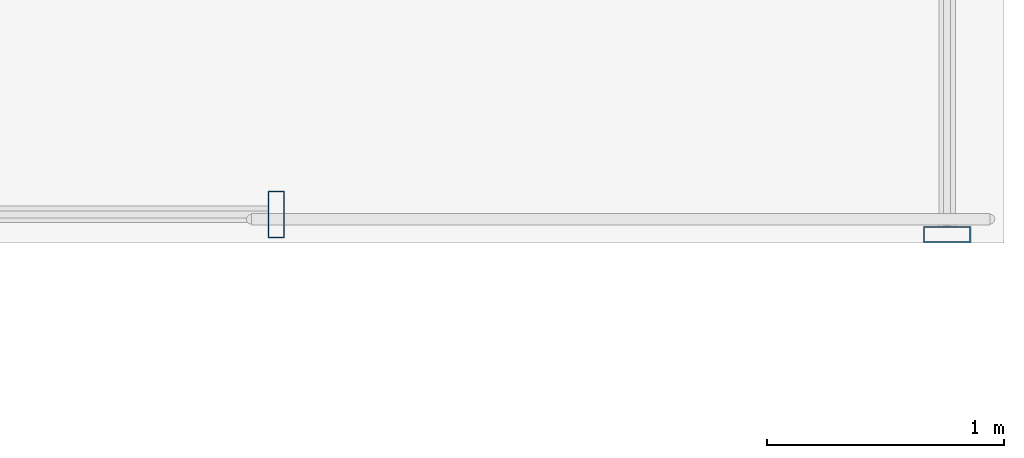
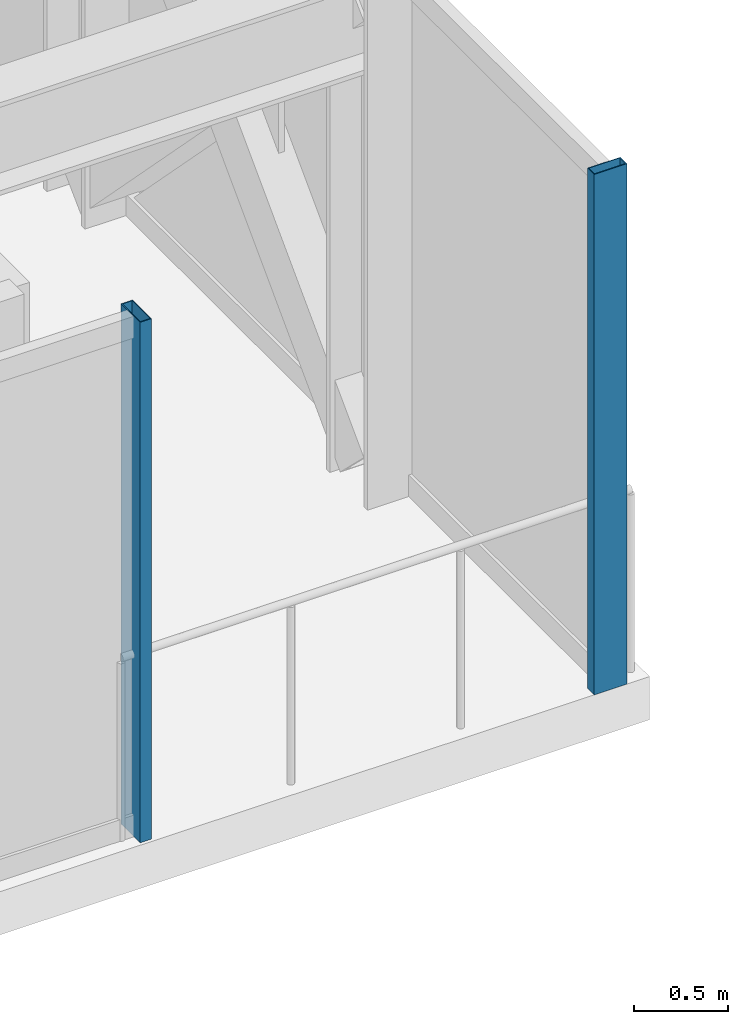
# One storey, part 20 of 38: 2 members, 2 elements without a shape of their own.
"""IFC4 building model written with IfcOpenShell, lengths in metres."""

from ifc_helpers import new_model, si_unit, direction, frame, origin, origin_2d, place, context, subcontext, project, spatial, hollow_rectangle, extrude, source, transform, mapped, material, material_profile, profile_set, type_object, element, aggregate, save


model = new_model("IFC4")

# Units and contexts
model_context = context("Model", 3, precision=1e-05, world=origin(), true_north=direction((0.0, 1.0)))
body_context = subcontext(model_context, "Body", "Model", "MODEL_VIEW")
ifc_project = project(units=[si_unit("LENGTHUNIT", "METRE"), si_unit("AREAUNIT", "SQUARE_METRE"), si_unit("VOLUMEUNIT", "CUBIC_METRE"), si_unit("PLANEANGLEUNIT", "RADIAN"), si_unit("MASSUNIT", "GRAM", prefix="KILO")], contexts=[model_context])

# Site, building, storey
site_placement = place(None, origin())
site = spatial("IfcSite", under=ifc_project, at=site_placement, CompositionType="ELEMENT")
building_placement = place(site_placement, origin())
building = spatial("IfcBuilding", under=site, at=building_placement, Name="Nahalor Promenade Grand Hotel", CompositionType="ELEMENT")
storey_placement = place(building_placement, frame((0.0, 0.0, 50.64990234375)))
storey = spatial("IfcBuildingStorey", under=building, at=storey_placement, Name="L11", CompositionType="ELEMENT", Elevation=50.64990234375)

# Curtain wall, member
ifc_material = material(Name="Anodised Bronze Aluminium EN AW-6063 T6", Category="aluminium")
curtain_wall_type = type_object("IfcCurtainWallType", Name="CW3 Elliptical-Void Collar Unitised Curtain Wall", PredefinedType="USERDEFINED", material=ifc_material)
curtain_wall_1_placement = place(storey_placement, origin())
curtain_wall_1 = element("IfcCurtainWall", 1, at=curtain_wall_1_placement, inside=storey, type_object=curtain_wall_type, Name="L11 Curtain Wall CW-L11-E-2", ObjectType="UNITISED_CURTAIN_WALL", PredefinedType="USERDEFINED")
ifc_material_profile = material_profile(ifc_material, hollow_rectangle(XDim=0.07, YDim=0.2, WallThickness=0.005, at=origin_2d()), Name="CWM 70x200x5")
ifc_profile_set = profile_set([ifc_material_profile], Name="Anodised Bronze Aluminium EN AW-6063 T6")
member_type = type_object("IfcMemberType", Name="CWM3 Void Collar Mullion 70x200", PredefinedType="MULLION", material=ifc_profile_set)
shared_shape = source(origin(), body_context, "Body", "SweptSolid", [
    extrude(hollow_rectangle(XDim=0.07, YDim=0.2, WallThickness=0.005, at=origin_2d()), origin(), (0.0, 0.0, 1.0), 3.3701171875),
])
member_1_placement = place(storey_placement, frame((25.159912109375, 3.135009765625, 0.0), z_axis=(0.0, 0.0, 1.0), x_axis=(0.0, 1.0, 0.0)))
member_1 = element("IfcMember", 2, at=member_1_placement, type_object=member_type, Name="CW-L11-E-2 Mullion 0", PredefinedType="MULLION", context=body_context, shape_type="MappedRepresentation", body=[
    mapped(shared_shape, transform((0.0, 0.0, 0.0), scale=1.0)),
])
aggregate(curtain_wall_1, [member_1])

curtain_wall_2_placement = place(storey_placement, origin())
curtain_wall_2 = element("IfcCurtainWall", 3, at=curtain_wall_2_placement, inside=storey, type_object=curtain_wall_type, Name="L11 Curtain Wall CW-L11-VOID-EN1", ObjectType="UNITISED_CURTAIN_WALL", PredefinedType="USERDEFINED")
member_2_placement = place(storey_placement, frame((22.324951171875, 3.219970703125, 0.0), z_axis=(0.0, 0.0, 1.0), x_axis=(1.0, 0.0, 0.0)))
member_2 = element("IfcMember", 4, at=member_2_placement, type_object=member_type, Name="CW-L11-VOID-EN1 Mullion 1", PredefinedType="MULLION", context=body_context, shape_type="MappedRepresentation", body=[
    mapped(shared_shape, transform((0.0, 0.0, 0.0), scale=1.0)),
])
aggregate(curtain_wall_2, [member_2])

save(model, "model.ifc")
